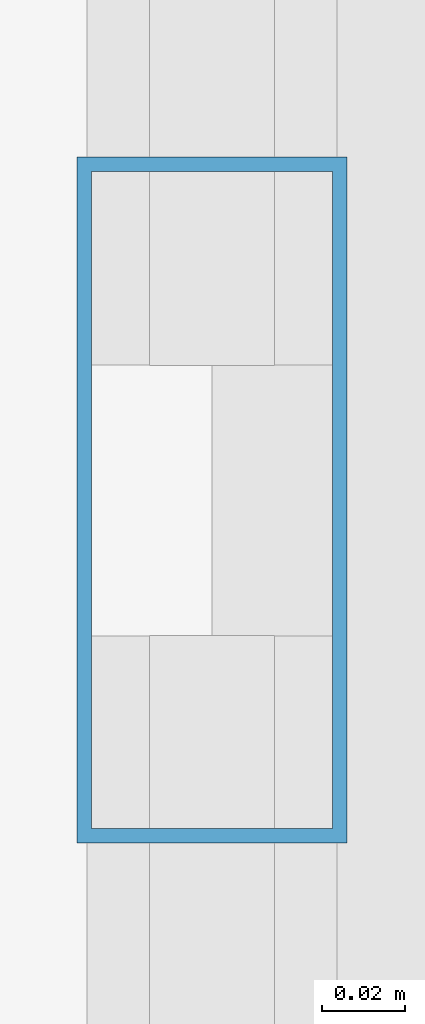
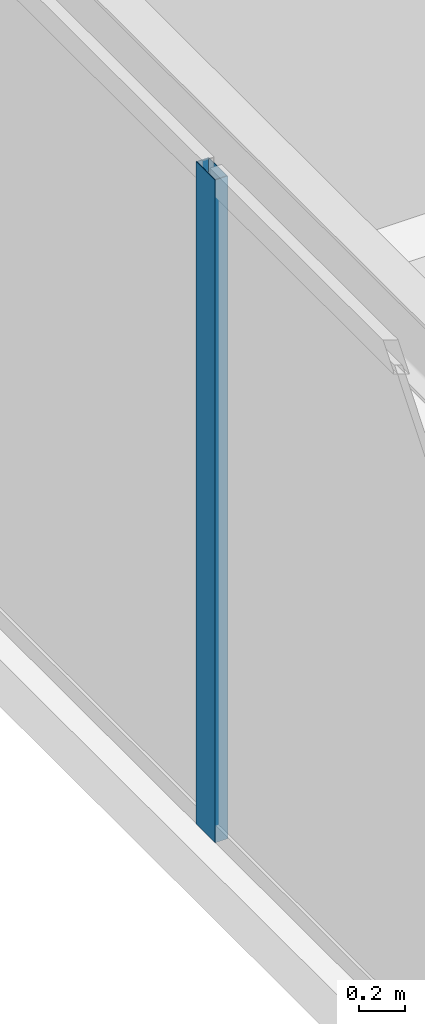
# One storey, part 7 of 30: 1 member, 1 element without a shape of its own.
"""IFC4 building model written with IfcOpenShell, lengths in metres."""

from ifc_helpers import new_model, si_unit, direction, frame, origin, origin_2d, place, context, subcontext, project, spatial, hollow_rectangle, extrude, source, transform, mapped, material, layer, layer_set, material_profile, profile_set, type_object, type_shapes, element, aggregate, save


model = new_model("IFC4")

# Units and contexts
model_context = context("Model", 3, precision=1e-05, world=origin(), true_north=direction((0.0, 1.0)))
body_context = subcontext(model_context, "Body", "Model", "MODEL_VIEW")
ifc_project = project(units=[si_unit("LENGTHUNIT", "METRE"), si_unit("AREAUNIT", "SQUARE_METRE"), si_unit("VOLUMEUNIT", "CUBIC_METRE"), si_unit("PLANEANGLEUNIT", "RADIAN"), si_unit("MASSUNIT", "GRAM", prefix="KILO")], contexts=[model_context])

# Site, building, storey
site_placement = place(None, origin())
site = spatial("IfcSite", under=ifc_project, at=site_placement, CompositionType="ELEMENT")
building_placement = place(site_placement, origin())
building = spatial("IfcBuilding", under=site, at=building_placement, Name="Varnel Quay Broadcast Tower", CompositionType="ELEMENT")
storey_placement = place(building_placement, frame((0.0, 0.0, 180.0)))
storey = spatial("IfcBuildingStorey", under=building, at=storey_placement, Name="L44", CompositionType="ELEMENT", Elevation=180.0)

# Curtain wall, member
ifc_material = material(Name="Anodised Bronze Aluminium 6063-T6", Category="aluminium")
ifc_layer = layer(ifc_material, 0.18994140625, Name="Anodised Bronze Aluminium 6063-T6")
ifc_layer_set = layer_set([ifc_layer], Name="Anodised Bronze Aluminium 6063-T6")
curtain_wall_type = type_object("IfcCurtainWallType", Name="CW_UpperTower", PredefinedType="NOTDEFINED", material=ifc_layer_set)
curtain_wall_placement = place(storey_placement, origin())
curtain_wall = element("IfcCurtainWall", 1, at=curtain_wall_placement, inside=storey, type_object=curtain_wall_type, Name="L44 West Unitised Curtain Wall", PredefinedType="NOTDEFINED")
ifc_material_profile = material_profile(ifc_material, hollow_rectangle(XDim=0.06494140625, YDim=0.1650390625, WallThickness=0.00341796875, at=origin_2d()), Name="ALU65X165X3.5")
ifc_profile_set = profile_set([ifc_material_profile], Name="Anodised Bronze Aluminium 6063-T6")
member_type = type_object("IfcMemberType", Name="Mull_CWS-03", PredefinedType="MULLION", material=ifc_profile_set)
shared_shape = source(origin(), body_context, "Body", "SweptSolid", [
    extrude(hollow_rectangle(XDim=0.06494140625, YDim=0.1650390625, WallThickness=0.00341796875, at=origin_2d()), origin(), (0.0, 0.0, 1.0), 3.550048828125),
])
type_shapes(member_type, [shared_shape])
member_placement = place(storey_placement, frame((7.14990234375, 21.60009765625, 0.0), z_axis=(0.0, 0.0, 1.0), x_axis=(-1.0, 0.0, 0.0)))
member = element("IfcMember", 2, at=member_placement, type_object=member_type, Name="CWS-03 mullion 2", PredefinedType="MULLION", context=body_context, shape_type="MappedRepresentation", body=[
    mapped(shared_shape, transform((0.0, 0.0, 0.0), x_axis=(1.0, 0.0, 0.0), y_axis=(0.0, 1.0, 0.0), z_axis=(0.0, 0.0, 1.0), scale=1.0)),
])
aggregate(curtain_wall, [member])

save(model, "model.ifc")
